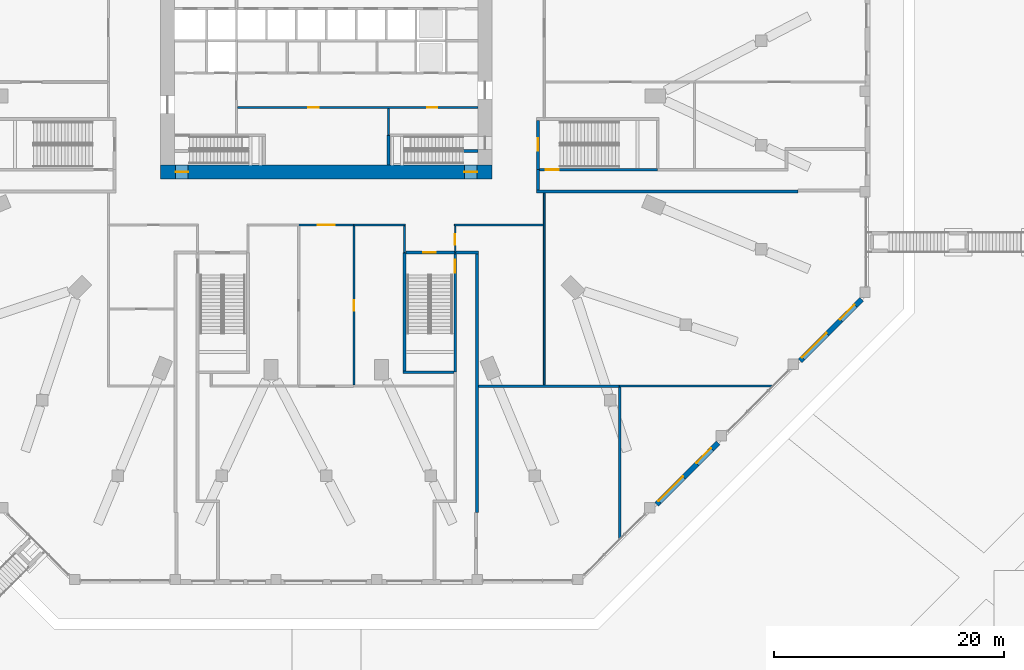
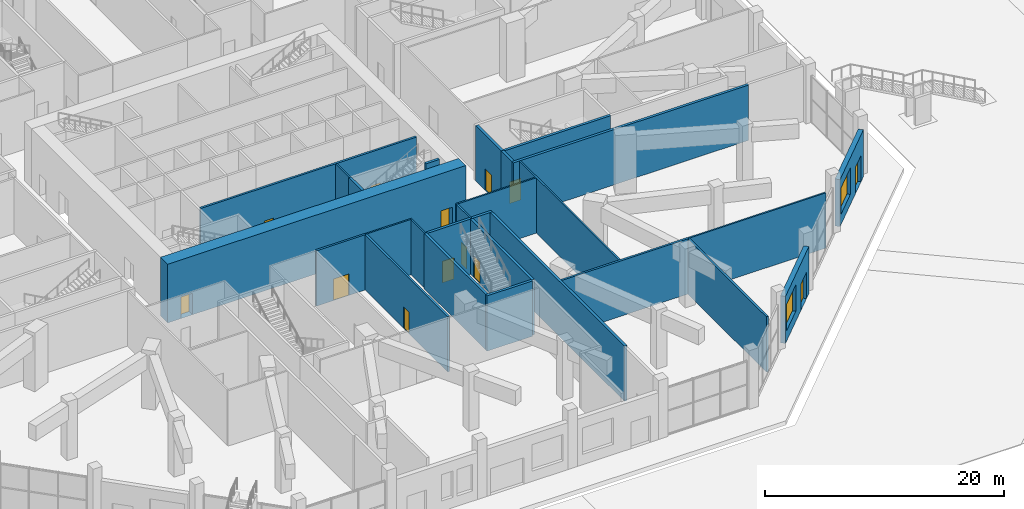
# One storey, part 23 of 36: 27 walls, 13 doors, 2 windows, 15 openings.
"""IFC4 building model written with IfcOpenShell, lengths in metres."""

from ifc_helpers import new_model, si_unit, direction, frame, frame_2d, origin, place, context, subcontext, project, spatial, rectangle, extrude, material, layer, layer_set, type_object, element, fill, save


model = new_model("IFC4")

# Units and contexts
model_context = context("Model", 3, precision=1e-05, world=origin(), true_north=direction((0.0, 1.0)))
body_context = subcontext(model_context, "Body", "Model", "MODEL_VIEW")
ifc_project = project(units=[si_unit("LENGTHUNIT", "METRE"), si_unit("AREAUNIT", "SQUARE_METRE"), si_unit("VOLUMEUNIT", "CUBIC_METRE"), si_unit("PLANEANGLEUNIT", "RADIAN"), si_unit("MASSUNIT", "GRAM", prefix="KILO")], contexts=[model_context])

# Site, building, storey
site_placement = place(None, origin())
site = spatial("IfcSite", under=ifc_project, at=site_placement, CompositionType="ELEMENT")
building_placement = place(site_placement, origin())
building = spatial("IfcBuilding", under=site, at=building_placement, Name="Msitu Wima Residences", CompositionType="ELEMENT")
storey_placement = place(building_placement, origin())
storey = spatial("IfcBuildingStorey", under=building, at=storey_placement, Name="L00", CompositionType="ELEMENT", Elevation=0.0)

# Wall, openings, door, window
ifc_material_1 = material(Name="Brick (red buff mix), cavity wall of two leaves", Category="masonry")
ifc_layer_1 = layer(ifc_material_1, 0.449951171875)
ifc_layer_set_1 = layer_set([ifc_layer_1], Name="Brick (red buff mix), cavity wall of two leaves")
wall_type_1 = type_object("IfcWallType", Name="Brick infill wall BW450 podium", PredefinedType="ELEMENTEDWALL", material=ifc_layer_set_1)
wall_1_placement = place(storey_placement, frame((28.700927734375, -40.27294921875, 0.0), z_axis=(0.0, 0.0, 1.0), x_axis=(0.707122957123, 0.70709060488, 0.0)))
wall_1 = element("IfcWall", 1, at=wall_1_placement, inside=storey, type_object=wall_type_1, Name="Brick infill wall L00 SE1", PredefinedType="ELEMENTEDWALL", context=body_context, shape_type="SweptSolid", body=[
    extrude(rectangle(XDim=7.54638671875, YDim=0.449951171875, at=frame_2d((3.773193359375, 0.0))), origin(), (0.0, 0.0, 1.0), 4.800048828125),
])
opening_1_placement = place(wall_1_placement, frame((0.3232421875, 0.0, 1.050048828125)))
opening_1 = element("IfcOpeningElement", 2, at=opening_1_placement, cuts=wall_1, Name="Opening W00.010", PredefinedType="OPENING", context=body_context, shape_type="SweptSolid", body=[
    extrude(rectangle(XDim=3.0, YDim=2.699951171875, at=frame_2d((1.5, 1.35009765625))), frame((0.0, 0.23486328125, 0.0), z_axis=(0.0, -1.0, 0.0), x_axis=(1.0, 0.0, 0.0)), (0.0, 0.0, 1.0), 0.469970703125),
])
opening_2_placement = place(wall_1_placement, frame((4.984619140625, 0.0, 0.0)))
opening_2 = element("IfcOpeningElement", 3, at=opening_2_placement, cuts=wall_1, Name="Opening D00.017", PredefinedType="OPENING", context=body_context, shape_type="SweptSolid", body=[
    extrude(rectangle(XDim=1.800048828125, YDim=2.699951171875, at=frame_2d((0.89990234375, 1.35009765625))), frame((0.0, 0.23486328125, 0.0), z_axis=(0.0, -1.0, 0.0), x_axis=(1.0, 0.0, 0.0)), (0.0, 0.0, 1.0), 0.469970703125),
])
ifc_material_2 = material(Name="Anodised aluminium, bronze finish, clear laminated glazing", Category="aluminium")
door_type_1 = type_object("IfcDoorType", Name="Shopfront door D1800x2700", OperationType="DOUBLE_DOOR_SINGLE_SWING", PredefinedType="DOOR", material=ifc_material_2)
door_1_placement = place(opening_2_placement, frame((1.800048828125, 0.0, 0.0), z_axis=(0.0, 0.0, 1.0), x_axis=(-1.0, 0.0, 0.0)))
door_1 = element("IfcDoor", 4, at=door_1_placement, inside=storey, type_object=door_type_1, Name="Shopfront door L00 SE1", OperationType="DOUBLE_DOOR_SINGLE_SWING", OverallHeight=2.699951171875, OverallWidth=1.800048828125, PredefinedType="DOOR", context=body_context, shape_type="SweptSolid", body=[
    extrude(rectangle(XDim=1.800048828125, YDim=2.699951171875, at=frame_2d((0.900146484375, 1.35009765625))), frame((0.0, -0.079833984375, 0.0), z_axis=(0.0, -1.0, 0.0), x_axis=(1.0, 0.0, 0.0)), (0.0, 0.0, 1.0), 0.050048828125),
])
fill(opening_2, door_1)
ifc_material_3 = material(Name="Anodised aluminium, bronze finish, clear low-emissivity double glazing", Category="aluminium")
window_type = type_object("IfcWindowType", Name="Window W3000x2700", PartitioningType="DOUBLE_PANEL_VERTICAL", PredefinedType="WINDOW", material=ifc_material_3)
window_1_placement = place(opening_1_placement, origin())
window_1 = element("IfcWindow", 5, at=window_1_placement, inside=storey, type_object=window_type, Name="Window L00 SE1.1", OverallHeight=2.699951171875, OverallWidth=3.0, PartitioningType="SINGLE_PANEL", PredefinedType="WINDOW", context=body_context, shape_type="SweptSolid", body=[
    extrude(rectangle(XDim=3.0, YDim=2.699951171875, at=frame_2d((1.5, 1.35009765625))), frame((0.0, 0.135009765625, 0.0), z_axis=(0.0, -1.0, 0.0), x_axis=(1.0, 0.0, 0.0)), (0.0, 0.0, 1.0), 0.06005859375),
])
fill(opening_1, window_1)

wall_2_placement = place(storey_placement, frame((41.173095703125, -27.801025390625, 0.0), z_axis=(0.0, 0.0, 1.0), x_axis=(0.70709060488, 0.707122957123, 0.0)))
wall_2 = element("IfcWall", 6, at=wall_2_placement, inside=storey, type_object=wall_type_1, Name="Brick infill wall L00 SE3", PredefinedType="ELEMENTEDWALL", context=body_context, shape_type="SweptSolid", body=[
    extrude(rectangle(XDim=7.54638671875, YDim=0.449951171875, at=frame_2d((3.773193359375, 0.0))), origin(), (0.0, 0.0, 1.0), 4.800048828125),
])
opening_3_placement = place(wall_2_placement, frame((0.3232421875, 0.0, 1.050048828125)))
opening_3 = element("IfcOpeningElement", 7, at=opening_3_placement, cuts=wall_2, Name="Opening W00.011", PredefinedType="OPENING", context=body_context, shape_type="SweptSolid", body=[
    extrude(rectangle(XDim=3.0, YDim=2.699951171875, at=frame_2d((1.5, 1.35009765625))), frame((0.0, 0.23486328125, 0.0), z_axis=(0.0, -1.0, 0.0), x_axis=(1.0, 0.0, 0.0)), (0.0, 0.0, 1.0), 0.469970703125),
])
opening_4_placement = place(wall_2_placement, frame((4.984619140625, 0.0, 0.0)))
opening_4 = element("IfcOpeningElement", 8, at=opening_4_placement, cuts=wall_2, Name="Opening D00.018", PredefinedType="OPENING", context=body_context, shape_type="SweptSolid", body=[
    extrude(rectangle(XDim=1.800048828125, YDim=2.699951171875, at=frame_2d((0.89990234375, 1.35009765625))), frame((0.0, 0.23486328125, 0.0), z_axis=(0.0, -1.0, 0.0), x_axis=(1.0, 0.0, 0.0)), (0.0, 0.0, 1.0), 0.469970703125),
])
door_2_placement = place(opening_4_placement, frame((1.800048828125, 0.0, 0.0), z_axis=(0.0, 0.0, 1.0), x_axis=(-1.0, 0.0, 0.0)))
door_2 = element("IfcDoor", 9, at=door_2_placement, inside=storey, type_object=door_type_1, Name="Shopfront door L00 SE3", OperationType="DOUBLE_DOOR_SINGLE_SWING", OverallHeight=2.699951171875, OverallWidth=1.800048828125, PredefinedType="DOOR", context=body_context, shape_type="SweptSolid", body=[
    extrude(rectangle(XDim=1.800048828125, YDim=2.699951171875, at=frame_2d((0.900146484375, 1.35009765625))), frame((0.0, -0.079833984375, 0.0), z_axis=(0.0, -1.0, 0.0), x_axis=(1.0, 0.0, 0.0)), (0.0, 0.0, 1.0), 0.050048828125),
])
fill(opening_4, door_2)
window_2_placement = place(opening_3_placement, origin())
window_2 = element("IfcWindow", 10, at=window_2_placement, inside=storey, type_object=window_type, Name="Window L00 SE3.1", OverallHeight=2.699951171875, OverallWidth=3.0, PartitioningType="SINGLE_PANEL", PredefinedType="WINDOW", context=body_context, shape_type="SweptSolid", body=[
    extrude(rectangle(XDim=3.0, YDim=2.699951171875, at=frame_2d((1.5, 1.35009765625))), frame((0.0, 0.135009765625, 0.0), z_axis=(0.0, -1.0, 0.0), x_axis=(1.0, 0.0, 0.0)), (0.0, 0.0, 1.0), 0.06005859375),
])
fill(opening_3, window_2)

# Wall, openings, doors
ifc_material_4 = material(Name="Concrete C80/95", Category="concrete")
ifc_layer_2 = layer(ifc_material_4, 1.199951171875)
ifc_layer_set_2 = layer_set([ifc_layer_2], Name="Concrete C80/95")
wall_type_2 = type_object("IfcWallType", Name="Core wall CW1200 C80/95", PredefinedType="SHEAR", material=ifc_layer_set_2)
wall_3_placement = place(storey_placement, frame((-14.39990234375, -11.39990234375, 0.0), z_axis=(0.0, 0.0, 1.0), x_axis=(1.0, 0.0, 0.0)))
wall_3 = element("IfcWall", 11, at=wall_3_placement, inside=storey, type_object=wall_type_2, Name="Core wall", PredefinedType="SHEAR", context=body_context, shape_type="SweptSolid", body=[
    extrude(rectangle(XDim=28.7998046875, YDim=1.199951171875, at=frame_2d((14.39990234375, 0.0))), origin(), (0.0, 0.0, 1.0), 6.0),
])
opening_5_placement = place(wall_3_placement, frame((1.300048828125, 0.0, 0.0)))
opening_5 = element("IfcOpeningElement", 12, at=opening_5_placement, cuts=wall_3, Name="Opening D00.041", PredefinedType="OPENING", context=body_context, shape_type="SweptSolid", body=[
    extrude(rectangle(XDim=1.10009765625, YDim=2.199951171875, at=frame_2d((0.550048828125, 1.10009765625))), frame((0.0, 0.60986328125, 0.0), z_axis=(0.0, -1.0, 0.0), x_axis=(1.0, 0.0, 0.0)), (0.0, 0.0, 1.0), 1.219970703125),
])
opening_6_placement = place(wall_3_placement, frame((26.39990234375, 0.0, 0.0)))
opening_6 = element("IfcOpeningElement", 13, at=opening_6_placement, cuts=wall_3, Name="Opening D00.043", PredefinedType="OPENING", context=body_context, shape_type="SweptSolid", body=[
    extrude(rectangle(XDim=1.10009765625, YDim=2.199951171875, at=frame_2d((0.550048828125, 1.10009765625))), frame((0.0, 0.60986328125, 0.0), z_axis=(0.0, -1.0, 0.0), x_axis=(1.0, 0.0, 0.0)), (0.0, 0.0, 1.0), 1.219970703125),
])
ifc_material_5 = material(Name="Steel door, fire resisting, panic bar", Category="steel")
door_type_2 = type_object("IfcDoorType", Name="Stair door D06 1100x2200", OperationType="SINGLE_SWING_LEFT", PredefinedType="DOOR", material=ifc_material_5)
door_3_placement = place(opening_5_placement, origin())
door_3 = element("IfcDoor", 14, at=door_3_placement, inside=storey, type_object=door_type_2, Name="Stair door", OperationType="SINGLE_SWING_RIGHT", OverallHeight=2.199951171875, OverallWidth=1.10009765625, PredefinedType="DOOR", context=body_context, shape_type="SweptSolid", body=[
    extrude(rectangle(XDim=1.10009765625, YDim=2.199951171875, at=frame_2d((0.550048828125, 1.10009765625))), frame((0.0, 0.02490234375, 0.0), z_axis=(0.0, -1.0, 0.0), x_axis=(1.0, 0.0, 0.0)), (0.0, 0.0, 1.0), 0.050048828125),
])
fill(opening_5, door_3)
door_4_placement = place(opening_6_placement, origin())
door_4 = element("IfcDoor", 15, at=door_4_placement, inside=storey, type_object=door_type_2, Name="Stair door", OperationType="SINGLE_SWING_LEFT", OverallHeight=2.199951171875, OverallWidth=1.10009765625, PredefinedType="DOOR", context=body_context, shape_type="SweptSolid", body=[
    extrude(rectangle(XDim=1.10009765625, YDim=2.199951171875, at=frame_2d((0.550048828125, 1.10009765625))), frame((0.0, 0.02490234375, 0.0), z_axis=(0.0, -1.0, 0.0), x_axis=(1.0, 0.0, 0.0)), (0.0, 0.0, 1.0), 0.050048828125),
])
fill(opening_6, door_4)

ifc_material_6 = material(Name="Plaster")
ifc_layer_3 = layer(ifc_material_6, 0.011962890625, Name="Plaster")
ifc_material_7 = material(Name="Concrete blockwork", Category="masonry")
ifc_layer_4 = layer(ifc_material_7, 0.176025390625, Name="Concrete blockwork")
ifc_layer_5 = layer(ifc_material_6, 0.011962890625, Name="Plaster")
ifc_layer_set_3 = layer_set([ifc_layer_3, ifc_layer_4, ifc_layer_5], Name="Concrete blockwork")
wall_type_3 = type_object("IfcWallType", Name="Corridor wall FW200", PredefinedType="PARTITIONING", material=ifc_layer_set_3)
wall_4_placement = place(storey_placement, frame((-7.699951171875, -5.800048828125, 0.0), z_axis=(0.0, 0.0, 1.0), x_axis=(1.0, 0.0, 0.0)))
wall_4 = element("IfcWall", 16, at=wall_4_placement, inside=storey, type_object=wall_type_3, Name="Corridor wall", PredefinedType="PARTITIONING", context=body_context, shape_type="SweptSolid", body=[
    extrude(rectangle(XDim=20.869873046875, YDim=0.199951171875, at=frame_2d((10.43505859375, 0.0))), origin(), (0.0, 0.0, 1.0), 5.64990234375),
])
opening_7_placement = place(wall_4_placement, frame((6.14990234375, 0.0, 0.0)))
opening_7 = element("IfcOpeningElement", 17, at=opening_7_placement, cuts=wall_4, Name="Opening D00.030", PredefinedType="OPENING", context=body_context, shape_type="SweptSolid", body=[
    extrude(rectangle(XDim=0.89990234375, YDim=2.199951171875, at=frame_2d((0.449951171875, 1.10009765625))), frame((0.0, 0.10986328125, 0.0), z_axis=(0.0, -1.0, 0.0), x_axis=(1.0, 0.0, 0.0)), (0.0, 0.0, 1.0), 0.219970703125),
])
opening_8_placement = place(wall_4_placement, frame((16.449951171875, 0.0, 0.0)))
opening_8 = element("IfcOpeningElement", 18, at=opening_8_placement, cuts=wall_4, Name="Opening D00.031", PredefinedType="OPENING", context=body_context, shape_type="SweptSolid", body=[
    extrude(rectangle(XDim=0.89990234375, YDim=2.199951171875, at=frame_2d((0.449951171875, 1.10009765625))), frame((0.0, 0.10986328125, 0.0), z_axis=(0.0, -1.0, 0.0), x_axis=(1.0, 0.0, 0.0)), (0.0, 0.0, 1.0), 0.219970703125),
])
ifc_material_8 = material(Name="Timber flush door", Category="wood")
door_type_3 = type_object("IfcDoorType", Name="Service door D05 900x2200", OperationType="SINGLE_SWING_LEFT", PredefinedType="DOOR", material=ifc_material_8)
door_5_placement = place(opening_7_placement, origin())
door_5 = element("IfcDoor", 19, at=door_5_placement, inside=storey, type_object=door_type_3, Name="Service door", OperationType="SINGLE_SWING_RIGHT", OverallHeight=2.199951171875, OverallWidth=0.89990234375, PredefinedType="DOOR", context=body_context, shape_type="SweptSolid", body=[
    extrude(rectangle(XDim=0.89990234375, YDim=2.199951171875, at=frame_2d((0.449951171875, 1.10009765625))), frame((0.0, 0.02490234375, 0.0), z_axis=(0.0, -1.0, 0.0), x_axis=(1.0, 0.0, 0.0)), (0.0, 0.0, 1.0), 0.050048828125),
])
fill(opening_7, door_5)
door_6_placement = place(opening_8_placement, origin())
door_6 = element("IfcDoor", 20, at=door_6_placement, inside=storey, type_object=door_type_3, Name="Service door", OperationType="SINGLE_SWING_LEFT", OverallHeight=2.199951171875, OverallWidth=0.89990234375, PredefinedType="DOOR", context=body_context, shape_type="SweptSolid", body=[
    extrude(rectangle(XDim=0.89990234375, YDim=2.199951171875, at=frame_2d((0.449951171875, 1.10009765625))), frame((0.0, 0.02490234375, 0.0), z_axis=(0.0, -1.0, 0.0), x_axis=(1.0, 0.0, 0.0)), (0.0, 0.0, 1.0), 0.050048828125),
])
fill(opening_8, door_6)

# Wall, opening, door
wall_5_placement = place(storey_placement, frame((-2.39990234375, -16.0, 0.0), z_axis=(0.0, 0.0, 1.0), x_axis=(1.0, 0.0, 0.0)))
wall_5 = element("IfcWall", 21, at=wall_5_placement, inside=storey, type_object=wall_type_3, Name="Corridor wall", PredefinedType="PARTITIONING", context=body_context, shape_type="SweptSolid", body=[
    extrude(rectangle(XDim=4.7998046875, YDim=0.199951171875, at=frame_2d((2.39990234375, 0.0))), origin(), (0.0, 0.0, 1.0), 5.64990234375),
])
opening_9_placement = place(wall_5_placement, frame((1.64990234375, 0.0, 0.0)))
opening_9 = element("IfcOpeningElement", 22, at=opening_9_placement, cuts=wall_5, Name="Opening D00.051", PredefinedType="OPENING", context=body_context, shape_type="SweptSolid", body=[
    extrude(rectangle(XDim=1.5, YDim=2.199951171875, at=frame_2d((0.75, 1.10009765625))), frame((0.0, 0.10986328125, 0.0), z_axis=(0.0, -1.0, 0.0), x_axis=(1.0, 0.0, 0.0)), (0.0, 0.0, 1.0), 0.219970703125),
])
ifc_material_9 = material(Name="Timber double door", Category="wood")
door_type_4 = type_object("IfcDoorType", Name="Double door D04 1500x2200", OperationType="DOUBLE_DOOR_SINGLE_SWING", PredefinedType="DOOR", material=ifc_material_9)
door_7_placement = place(opening_9_placement, origin())
door_7 = element("IfcDoor", 23, at=door_7_placement, inside=storey, type_object=door_type_4, Name="Double door", OperationType="DOUBLE_DOOR_SINGLE_SWING", OverallHeight=2.199951171875, OverallWidth=1.5, PredefinedType="DOOR", context=body_context, shape_type="SweptSolid", body=[
    extrude(rectangle(XDim=1.5, YDim=2.199951171875, at=frame_2d((0.75, 1.10009765625))), frame((0.0, 0.02490234375, 0.0), z_axis=(0.0, -1.0, 0.0), x_axis=(1.0, 0.0, 0.0)), (0.0, 0.0, 1.0), 0.050048828125),
])
fill(opening_9, door_7)

wall_6_placement = place(storey_placement, frame((2.39990234375, -29.89990234375, 0.0), z_axis=(0.0, 0.0, 1.0), x_axis=(0.0, 1.0, 0.0)))
wall_6 = element("IfcWall", 24, at=wall_6_placement, inside=storey, type_object=wall_type_3, Name="Corridor wall", PredefinedType="PARTITIONING", context=body_context, shape_type="SweptSolid", body=[
    extrude(rectangle(XDim=13.824951171875, YDim=0.199951171875, at=frame_2d((6.91259765625, 0.0))), origin(), (0.0, 0.0, 1.0), 5.64990234375),
])
opening_10_placement = place(wall_6_placement, frame((6.449951171875, 0.0, 0.0)))
opening_10 = element("IfcOpeningElement", 25, at=opening_10_placement, cuts=wall_6, Name="Opening D00.074", PredefinedType="OPENING", context=body_context, shape_type="SweptSolid", body=[
    extrude(rectangle(XDim=0.89990234375, YDim=2.199951171875, at=frame_2d((0.449951171875, 1.10009765625))), frame((0.0, 0.10986328125, 0.0), z_axis=(0.0, -1.0, 0.0), x_axis=(1.0, 0.0, 0.0)), (0.0, 0.0, 1.0), 0.219970703125),
])
door_8_placement = place(opening_10_placement, origin())
door_8 = element("IfcDoor", 26, at=door_8_placement, inside=storey, type_object=door_type_3, Name="Service door", OperationType="SINGLE_SWING_RIGHT", OverallHeight=2.199951171875, OverallWidth=0.89990234375, PredefinedType="DOOR", context=body_context, shape_type="SweptSolid", body=[
    extrude(rectangle(XDim=0.89990234375, YDim=2.199951171875, at=frame_2d((0.449951171875, 1.10009765625))), frame((0.0, 0.02490234375, 0.0), z_axis=(0.0, -1.0, 0.0), x_axis=(1.0, 0.0, 0.0)), (0.0, 0.0, 1.0), 0.050048828125),
])
fill(opening_10, door_8)

# Walls
ifc_layer_6 = layer(ifc_material_6, 0.011962890625, Name="Plaster")
ifc_layer_7 = layer(ifc_material_7, 0.1259765625, Name="Concrete blockwork")
ifc_layer_8 = layer(ifc_material_6, 0.011962890625, Name="Plaster")
ifc_layer_set_4 = layer_set([ifc_layer_6, ifc_layer_7, ifc_layer_8], Name="Concrete blockwork")
wall_type_4 = type_object("IfcWallType", Name="Partition PW150", PredefinedType="PARTITIONING", material=ifc_layer_set_4)
wall_7_placement = place(storey_placement, frame((2.39990234375, -16.0, 0.0), z_axis=(0.0, 0.0, 1.0), x_axis=(1.0, 0.0, 0.0)))
element("IfcWall", 27, at=wall_7_placement, inside=storey, type_object=wall_type_4, Name="Partition", PredefinedType="PARTITIONING", context=body_context, shape_type="SweptSolid", body=[
    extrude(rectangle(XDim=4.47509765625, YDim=0.14990234375, at=frame_2d((2.237548828125, 0.0))), origin(), (0.0, 0.0, 1.0), 5.64990234375),
])
wall_8_placement = place(storey_placement, frame((5.39990234375, -8.199951171875, 0.0), z_axis=(0.0, 0.0, 1.0), x_axis=(0.0, 1.0, 0.0)))
element("IfcWall", 28, at=wall_8_placement, inside=storey, type_object=wall_type_4, Name="Partition", PredefinedType="PARTITIONING", context=body_context, shape_type="SweptSolid", body=[
    extrude(rectangle(XDim=2.300048828125, YDim=0.14990234375, at=frame_2d((1.14990234375, 0.0))), origin(), (0.0, 0.0, 1.0), 5.64990234375),
])
wall_9_placement = place(storey_placement, frame((6.800048828125, -18.39990234375, 0.0), z_axis=(0.0, 0.0, 1.0), x_axis=(0.0, 1.0, 0.0)))
element("IfcWall", 29, at=wall_9_placement, inside=storey, type_object=wall_type_4, Name="Partition", PredefinedType="PARTITIONING", context=body_context, shape_type="SweptSolid", body=[
    extrude(rectangle(XDim=2.324951171875, YDim=0.14990234375, at=frame_2d((1.16259765625, 0.0))), origin(), (0.0, 0.0, 1.0), 5.64990234375),
])

# Wall, opening, door
wall_10_placement = place(storey_placement, frame((11.199951171875, -18.39990234375, 0.0), z_axis=(0.0, 0.0, 1.0), x_axis=(0.0, 1.0, 0.0)))
wall_10 = element("IfcWall", 30, at=wall_10_placement, inside=storey, type_object=wall_type_4, Name="Partition", PredefinedType="PARTITIONING", context=body_context, shape_type="SweptSolid", body=[
    extrude(rectangle(XDim=2.324951171875, YDim=0.14990234375, at=frame_2d((1.16259765625, 0.0))), origin(), (0.0, 0.0, 1.0), 5.64990234375),
])
opening_11_placement = place(wall_10_placement, frame((0.699951171875, 0.0, 0.0)))
opening_11 = element("IfcOpeningElement", 31, at=opening_11_placement, cuts=wall_10, Name="Opening D00.072", PredefinedType="OPENING", context=body_context, shape_type="SweptSolid", body=[
    extrude(rectangle(XDim=0.89990234375, YDim=2.199951171875, at=frame_2d((0.449951171875, 1.10009765625))), frame((0.0, 0.0849609375, 0.0), z_axis=(0.0, -1.0, 0.0), x_axis=(1.0, 0.0, 0.0)), (0.0, 0.0, 1.0), 0.169921875),
])
door_9_placement = place(opening_11_placement, origin())
door_9 = element("IfcDoor", 32, at=door_9_placement, inside=storey, type_object=door_type_3, Name="Service door", OperationType="SINGLE_SWING_RIGHT", OverallHeight=2.199951171875, OverallWidth=0.89990234375, PredefinedType="DOOR", context=body_context, shape_type="SweptSolid", body=[
    extrude(rectangle(XDim=0.89990234375, YDim=2.199951171875, at=frame_2d((0.449951171875, 1.10009765625))), frame((0.0, 0.02490234375, 0.0), z_axis=(0.0, -1.0, 0.0), x_axis=(1.0, 0.0, 0.0)), (0.0, 0.0, 1.0), 0.050048828125),
])
fill(opening_11, door_9)

# Walls
wall_11_placement = place(storey_placement, frame((11.125, -16.0, 0.0), z_axis=(0.0, 0.0, 1.0), x_axis=(1.0, 0.0, 0.0)))
element("IfcWall", 33, at=wall_11_placement, inside=storey, type_object=wall_type_4, Name="Partition", PredefinedType="PARTITIONING", context=body_context, shape_type="SweptSolid", body=[
    extrude(rectangle(XDim=7.72802734375, YDim=0.14990234375, at=frame_2d((3.864013671875, 0.0))), origin(), (0.0, 0.0, 1.0), 5.64990234375),
])
wall_12_placement = place(storey_placement, frame((18.927978515625, -29.89990234375, 0.0), z_axis=(0.0, 0.0, 1.0), x_axis=(0.0, 1.0, 0.0)))
element("IfcWall", 34, at=wall_12_placement, inside=storey, type_object=wall_type_4, Name="Partition", PredefinedType="PARTITIONING", context=body_context, shape_type="SweptSolid", body=[
    extrude(rectangle(XDim=16.6748046875, YDim=0.14990234375, at=frame_2d((8.33740234375, 0.0))), origin(), (0.0, 0.0, 1.0), 5.64990234375),
])
wall_13_placement = place(storey_placement, frame((25.46533203125, -30.0, 0.0), z_axis=(0.0, 0.0, 1.0), x_axis=(1.0, 0.0, 0.0)))
element("IfcWall", 35, at=wall_13_placement, inside=storey, type_object=wall_type_4, Name="Partition", PredefinedType="PARTITIONING", context=body_context, shape_type="SweptSolid", body=[
    extrude(rectangle(XDim=13.268310546875, YDim=0.14990234375, at=frame_2d((6.63427734375, 0.0))), origin(), (0.0, 0.0, 1.0), 5.64990234375),
])
ifc_layer_9 = layer(ifc_material_6, 0.011962890625, Name="Plaster")
ifc_material_10 = material(Name="Reinforced concrete blockwork", Category="masonry")
ifc_layer_10 = layer(ifc_material_10, 0.176025390625, Name="Reinforced concrete blockwork")
ifc_layer_11 = layer(ifc_material_6, 0.011962890625, Name="Plaster")
ifc_layer_set_5 = layer_set([ifc_layer_9, ifc_layer_10, ifc_layer_11], Name="Reinforced concrete blockwork")
wall_type_5 = type_object("IfcWallType", Name="Plant and riser wall PL200", PredefinedType="PARTITIONING", material=ifc_layer_set_5)
wall_14_placement = place(storey_placement, frame((13.22509765625, -30.0, 0.0), z_axis=(0.0, 0.0, 1.0), x_axis=(1.0, 0.0, 0.0)))
element("IfcWall", 36, at=wall_14_placement, inside=storey, type_object=wall_type_5, Name="Plant and riser wall", PredefinedType="PARTITIONING", context=body_context, shape_type="SweptSolid", body=[
    extrude(rectangle(XDim=12.240234375, YDim=0.199951171875, at=frame_2d((6.1201171875, 0.0))), origin(), (0.0, 0.0, 1.0), 5.64990234375),
])
wall_15_placement = place(storey_placement, frame((25.4853515625, -43.248291015625, 0.0), z_axis=(0.0, 0.0, 1.0), x_axis=(0.0, 1.0, 0.0)))
element("IfcWall", 37, at=wall_15_placement, inside=storey, type_object=wall_type_5, Name="Plant and riser wall", PredefinedType="PARTITIONING", context=body_context, shape_type="SweptSolid", body=[
    extrude(rectangle(XDim=13.17333984375, YDim=0.199951171875, at=frame_2d((6.586669921875, 0.0))), origin(), (0.0, 0.0, 1.0), 5.64990234375),
])
ifc_material_11 = material(Name="Concrete C50/60", Category="concrete")
ifc_layer_12 = layer(ifc_material_11, 0.25)
ifc_layer_set_6 = layer_set([ifc_layer_12], Name="Concrete C50/60")
wall_type_6 = type_object("IfcWallType", Name="Stair enclosure wall SW250", PredefinedType="SHEAR", material=ifc_layer_set_6)
wall_16_placement = place(storey_placement, frame((5.39990234375, -10.77001953125, 0.0), z_axis=(0.0, 0.0, 1.0), x_axis=(0.0, 1.0, 0.0)))
element("IfcWall", 38, at=wall_16_placement, inside=storey, type_object=wall_type_6, Name="Stair enclosure wall", PredefinedType="SHEAR", context=body_context, shape_type="SweptSolid", body=[
    extrude(rectangle(XDim=2.570068359375, YDim=0.25, at=frame_2d((1.28515625, 0.0))), origin(), (0.0, 0.0, 1.0), 5.64990234375),
])
wall_17_placement = place(storey_placement, frame((6.800048828125, -28.675048828125, 0.0), z_axis=(0.0, 0.0, 1.0), x_axis=(0.0, 1.0, 0.0)))
element("IfcWall", 39, at=wall_17_placement, inside=storey, type_object=wall_type_6, Name="Stair enclosure wall", PredefinedType="SHEAR", context=body_context, shape_type="SweptSolid", body=[
    extrude(rectangle(XDim=10.275146484375, YDim=0.25, at=frame_2d((5.1376953125, 0.0))), origin(), (0.0, 0.0, 1.0), 5.64990234375),
])
wall_18_placement = place(storey_placement, frame((6.675048828125, -28.800048828125, 0.0), z_axis=(0.0, 0.0, 1.0), x_axis=(1.0, 0.0, 0.0)))
element("IfcWall", 40, at=wall_18_placement, inside=storey, type_object=wall_type_6, Name="Stair enclosure wall", PredefinedType="SHEAR", context=body_context, shape_type="SweptSolid", body=[
    extrude(rectangle(XDim=4.39990234375, YDim=0.25, at=frame_2d((2.199951171875, 0.0))), origin(), (0.0, 0.0, 1.0), 5.64990234375),
])

# Wall, opening, door
wall_19_placement = place(storey_placement, frame((6.925048828125, -18.39990234375, 0.0), z_axis=(0.0, 0.0, 1.0), x_axis=(1.0, 0.0, 0.0)))
wall_19 = element("IfcWall", 41, at=wall_19_placement, inside=storey, type_object=wall_type_6, Name="Stair enclosure wall", PredefinedType="SHEAR", context=body_context, shape_type="SweptSolid", body=[
    extrude(rectangle(XDim=4.27490234375, YDim=0.25, at=frame_2d((2.137451171875, 0.0))), origin(), (0.0, 0.0, 1.0), 5.64990234375),
])
opening_12_placement = place(wall_19_placement, frame((1.5, 0.0, 0.0)))
opening_12 = element("IfcOpeningElement", 42, at=opening_12_placement, cuts=wall_19, Name="Opening D00.088", PredefinedType="OPENING", context=body_context, shape_type="SweptSolid", body=[
    extrude(rectangle(XDim=1.10009765625, YDim=2.199951171875, at=frame_2d((0.550048828125, 1.10009765625))), frame((0.0, 0.135009765625, 0.0), z_axis=(0.0, -1.0, 0.0), x_axis=(1.0, 0.0, 0.0)), (0.0, 0.0, 1.0), 0.27001953125),
])
door_type_5 = type_object("IfcDoorType", Name="Stair door D13 1100x2200", OperationType="SINGLE_SWING_LEFT", PredefinedType="DOOR", material=ifc_material_5)
door_10_placement = place(opening_12_placement, origin())
door_10 = element("IfcDoor", 43, at=door_10_placement, inside=storey, type_object=door_type_5, Name="Stair door", OperationType="SINGLE_SWING_LEFT", OverallHeight=2.199951171875, OverallWidth=1.10009765625, PredefinedType="DOOR", context=body_context, shape_type="SweptSolid", body=[
    extrude(rectangle(XDim=1.10009765625, YDim=2.199951171875, at=frame_2d((0.550048828125, 1.10009765625))), frame((0.0, 0.02490234375, 0.0), z_axis=(0.0, -1.0, 0.0), x_axis=(1.0, 0.0, 0.0)), (0.0, 0.0, 1.0), 0.050048828125),
])
fill(opening_12, door_10)

wall_20_placement = place(storey_placement, frame((11.199951171875, -28.780029296875, 0.0), z_axis=(0.0, 0.0, 1.0), x_axis=(0.0, 1.0, 0.0)))
wall_20 = element("IfcWall", 44, at=wall_20_placement, inside=storey, type_object=wall_type_6, Name="Stair enclosure wall", PredefinedType="SHEAR", context=body_context, shape_type="SweptSolid", body=[
    extrude(rectangle(XDim=10.380126953125, YDim=0.25, at=frame_2d((5.18994140625, 0.0))), origin(), (0.0, 0.0, 1.0), 5.64990234375),
])
opening_13_placement = place(wall_20_placement, frame((8.64990234375, 0.0, 0.0)))
opening_13 = element("IfcOpeningElement", 45, at=opening_13_placement, cuts=wall_20, Name="Opening D00.089", PredefinedType="OPENING", context=body_context, shape_type="SweptSolid", body=[
    extrude(rectangle(XDim=1.10009765625, YDim=2.199951171875, at=frame_2d((0.550048828125, 1.10009765625))), frame((0.0, 0.135009765625, 0.0), z_axis=(0.0, -1.0, 0.0), x_axis=(1.0, 0.0, 0.0)), (0.0, 0.0, 1.0), 0.27001953125),
])
door_11_placement = place(opening_13_placement, origin())
door_11 = element("IfcDoor", 46, at=door_11_placement, inside=storey, type_object=door_type_5, Name="Stair door", OperationType="SINGLE_SWING_LEFT", OverallHeight=2.199951171875, OverallWidth=1.10009765625, PredefinedType="DOOR", context=body_context, shape_type="SweptSolid", body=[
    extrude(rectangle(XDim=1.10009765625, YDim=2.199951171875, at=frame_2d((0.550048828125, 1.10009765625))), frame((0.0, 0.02490234375, 0.0), z_axis=(0.0, -1.0, 0.0), x_axis=(1.0, 0.0, 0.0)), (0.0, 0.0, 1.0), 0.050048828125),
])
fill(opening_13, door_11)

wall_21_placement = place(storey_placement, frame((18.39990234375, -11.199951171875, 0.0), z_axis=(0.0, 0.0, 1.0), x_axis=(0.0, 1.0, 0.0)))
wall_21 = element("IfcWall", 47, at=wall_21_placement, inside=storey, type_object=wall_type_6, Name="Stair enclosure wall", PredefinedType="SHEAR", context=body_context, shape_type="SweptSolid", body=[
    extrude(rectangle(XDim=4.27490234375, YDim=0.25, at=frame_2d((2.137451171875, 0.0))), origin(), (0.0, 0.0, 1.0), 5.64990234375),
])
opening_14_placement = place(wall_21_placement, frame((1.64990234375, 0.0, 0.0)))
opening_14 = element("IfcOpeningElement", 48, at=opening_14_placement, cuts=wall_21, Name="Opening D00.078", PredefinedType="OPENING", context=body_context, shape_type="SweptSolid", body=[
    extrude(rectangle(XDim=1.10009765625, YDim=2.199951171875, at=frame_2d((0.550048828125, 1.10009765625))), frame((0.0, 0.135009765625, 0.0), z_axis=(0.0, -1.0, 0.0), x_axis=(1.0, 0.0, 0.0)), (0.0, 0.0, 1.0), 0.27001953125),
])
door_12_placement = place(opening_14_placement, origin())
door_12 = element("IfcDoor", 49, at=door_12_placement, inside=storey, type_object=door_type_5, Name="Stair door", OperationType="SINGLE_SWING_RIGHT", OverallHeight=2.199951171875, OverallWidth=1.10009765625, PredefinedType="DOOR", context=body_context, shape_type="SweptSolid", body=[
    extrude(rectangle(XDim=1.10009765625, YDim=2.199951171875, at=frame_2d((0.550048828125, 1.10009765625))), frame((0.0, 0.02490234375, 0.0), z_axis=(0.0, -1.0, 0.0), x_axis=(1.0, 0.0, 0.0)), (0.0, 0.0, 1.0), 0.050048828125),
])
fill(opening_14, door_12)

wall_22_placement = place(storey_placement, frame((18.52490234375, -11.199951171875, 0.0), z_axis=(0.0, 0.0, 1.0), x_axis=(1.0, 0.0, 0.0)))
wall_22 = element("IfcWall", 50, at=wall_22_placement, inside=storey, type_object=wall_type_6, Name="Stair enclosure wall", PredefinedType="SHEAR", context=body_context, shape_type="SweptSolid", body=[
    extrude(rectangle(XDim=10.255126953125, YDim=0.25, at=frame_2d((5.12744140625, 0.0))), origin(), (0.0, 0.0, 1.0), 5.64990234375),
])
opening_15_placement = place(wall_22_placement, frame((0.550048828125, 0.0, 0.0)))
opening_15 = element("IfcOpeningElement", 51, at=opening_15_placement, cuts=wall_22, Name="Opening D00.079", PredefinedType="OPENING", context=body_context, shape_type="SweptSolid", body=[
    extrude(rectangle(XDim=1.10009765625, YDim=2.199951171875, at=frame_2d((0.550048828125, 1.10009765625))), frame((0.0, 0.135009765625, 0.0), z_axis=(0.0, -1.0, 0.0), x_axis=(1.0, 0.0, 0.0)), (0.0, 0.0, 1.0), 0.27001953125),
])
door_13_placement = place(opening_15_placement, origin())
door_13 = element("IfcDoor", 52, at=door_13_placement, inside=storey, type_object=door_type_5, Name="Stair door", OperationType="SINGLE_SWING_RIGHT", OverallHeight=2.199951171875, OverallWidth=1.10009765625, PredefinedType="DOOR", context=body_context, shape_type="SweptSolid", body=[
    extrude(rectangle(XDim=1.10009765625, YDim=2.199951171875, at=frame_2d((0.550048828125, 1.10009765625))), frame((0.0, 0.02490234375, 0.0), z_axis=(0.0, -1.0, 0.0), x_axis=(1.0, 0.0, 0.0)), (0.0, 0.0, 1.0), 0.050048828125),
])
fill(opening_15, door_13)

# Walls
ifc_layer_13 = layer(ifc_material_6, 0.011962890625, Name="Plaster")
ifc_layer_14 = layer(ifc_material_10, 0.22607421875, Name="Reinforced concrete blockwork")
ifc_layer_15 = layer(ifc_material_6, 0.011962890625, Name="Plaster")
ifc_layer_set_7 = layer_set([ifc_layer_13, ifc_layer_14, ifc_layer_15], Name="Reinforced concrete blockwork")
wall_type_7 = type_object("IfcWallType", Name="Stair enclosure wall SW250B", PredefinedType="PARTITIONING", material=ifc_layer_set_7)
wall_23_placement = place(storey_placement, frame((11.199951171875, -18.39990234375, 0.0), z_axis=(0.0, 0.0, 1.0), x_axis=(1.0, 0.0, 0.0)))
element("IfcWall", 53, at=wall_23_placement, inside=storey, type_object=wall_type_7, Name="Stair enclosure wall", PredefinedType="PARTITIONING", context=body_context, shape_type="SweptSolid", body=[
    extrude(rectangle(XDim=2.025146484375, YDim=0.25, at=frame_2d((1.0126953125, 0.0))), origin(), (0.0, 0.0, 1.0), 5.64990234375),
])
wall_24_placement = place(storey_placement, frame((13.10009765625, -41.0, 0.0), z_axis=(0.0, 0.0, 1.0), x_axis=(0.0, 1.0, 0.0)))
element("IfcWall", 54, at=wall_24_placement, inside=storey, type_object=wall_type_7, Name="Stair enclosure wall", PredefinedType="PARTITIONING", context=body_context, shape_type="SweptSolid", body=[
    extrude(rectangle(XDim=22.47509765625, YDim=0.25, at=frame_2d((11.237548828125, 0.0))), origin(), (0.0, 0.0, 1.0), 5.64990234375),
])
wall_25_placement = place(storey_placement, frame((18.39990234375, -12.97509765625, 0.0), z_axis=(0.0, 0.0, 1.0), x_axis=(0.0, 1.0, 0.0)))
element("IfcWall", 55, at=wall_25_placement, inside=storey, type_object=wall_type_7, Name="Stair enclosure wall", PredefinedType="PARTITIONING", context=body_context, shape_type="SweptSolid", body=[
    extrude(rectangle(XDim=1.775146484375, YDim=0.25, at=frame_2d((0.8876953125, 0.0))), origin(), (0.0, 0.0, 1.0), 5.64990234375),
])
wall_26_placement = place(storey_placement, frame((18.27490234375, -13.10009765625, 0.0), z_axis=(0.0, 0.0, 1.0), x_axis=(1.0, 0.0, 0.0)))
element("IfcWall", 56, at=wall_26_placement, inside=storey, type_object=wall_type_7, Name="Stair enclosure wall", PredefinedType="PARTITIONING", context=body_context, shape_type="SweptSolid", body=[
    extrude(rectangle(XDim=22.72509765625, YDim=0.25, at=frame_2d((11.362548828125, 0.0))), origin(), (0.0, 0.0, 1.0), 5.64990234375),
])
wall_27_placement = place(storey_placement, frame((13.199951171875, -9.56005859375, 0.0), z_axis=(0.0, 0.0, 1.0), x_axis=(-1.0, 0.0, 0.0)))
element("IfcWall", 57, at=wall_27_placement, inside=storey, type_object=wall_type_7, Name="Stair enclosure wall", PredefinedType="PARTITIONING", context=body_context, shape_type="SweptSolid", body=[
    extrude(rectangle(XDim=1.324951171875, YDim=0.25, at=frame_2d((0.66259765625, 0.0))), origin(), (0.0, 0.0, 1.0), 5.64990234375),
])

save(model, "model.ifc")
